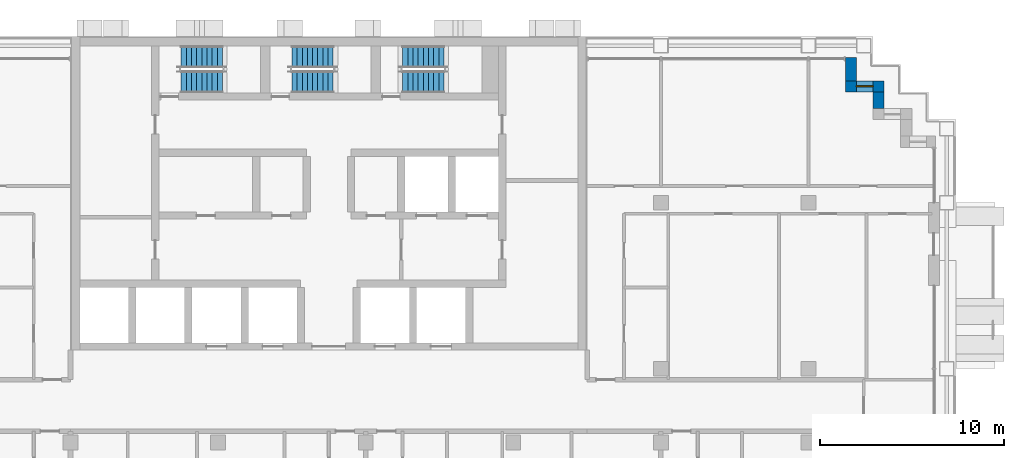
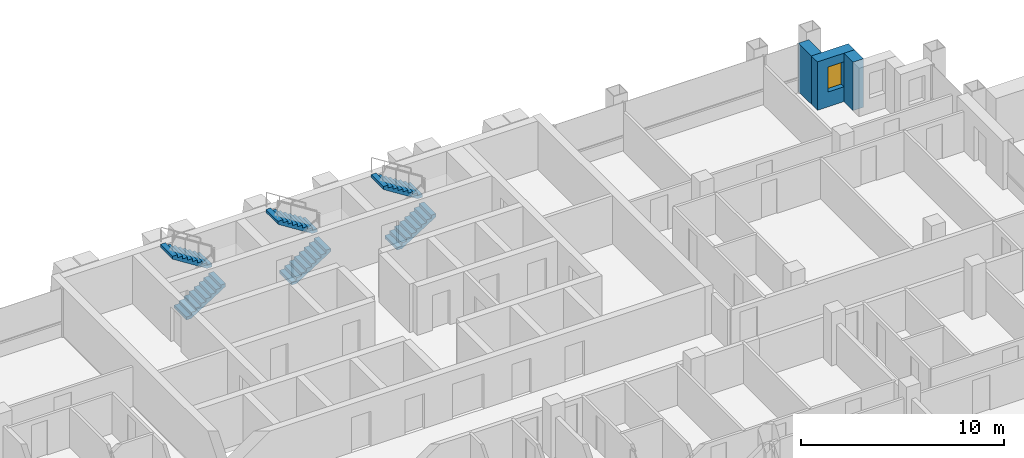
# One storey, part 13 of 18: 6 stair flights, 3 walls, 1 window, 1 opening, 3 elements without a shape of their own.
"""IFC4 building model written with IfcOpenShell, lengths in metres."""

from ifc_helpers import new_model, si_unit, direction, frame, frame_2d, origin, place, context, subcontext, project, spatial, polyline, rectangle, outline, extrude, material, layer, layer_set, type_object, element, fill, aggregate, save


model = new_model("IFC4")

# Units and contexts
model_context = context("Model", 3, precision=1e-05, world=origin(), true_north=direction((0.0, 1.0)))
body_context = subcontext(model_context, "Body", "Model", "MODEL_VIEW")
ifc_project = project(units=[si_unit("LENGTHUNIT", "METRE"), si_unit("AREAUNIT", "SQUARE_METRE"), si_unit("VOLUMEUNIT", "CUBIC_METRE"), si_unit("PLANEANGLEUNIT", "RADIAN"), si_unit("MASSUNIT", "GRAM", prefix="KILO")], contexts=[model_context])

# Site, building, storey
site_placement = place(None, origin())
site = spatial("IfcSite", under=ifc_project, at=site_placement, CompositionType="ELEMENT")
building_placement = place(site_placement, origin())
building = spatial("IfcBuilding", under=site, at=building_placement, Name="Vidyagriha Tower", CompositionType="ELEMENT")
storey_placement = place(building_placement, frame((0.0, 0.0, 123.0)))
storey = spatial("IfcBuildingStorey", under=building, at=storey_placement, Name="L31", CompositionType="ELEMENT", Elevation=123.0)

# Wall
ifc_material_1 = material(Name="Precast concrete C40/50 with brick facing", Category="concrete")
ifc_layer = layer(ifc_material_1, 0.60009765625)
ifc_layer_set = layer_set([ifc_layer], Name="Precast concrete C40/50 with brick facing")
wall_type = type_object("IfcWallType", Name="Brick-faced precast wall 600", PredefinedType="STANDARD", material=ifc_layer_set)
wall_1_placement = place(storey_placement, frame((29.800048828125, 16.10009765625, 0.0), z_axis=(0.0, 0.0, 1.0), x_axis=(0.0, 1.0, 0.0)))
element("IfcWall", 1, at=wall_1_placement, inside=storey, type_object=wall_type, Name="Stepped corner wall L31 R04", PredefinedType="STANDARD", context=body_context, shape_type="SweptSolid", body=[
    extrude(rectangle(XDim=0.89990234375, YDim=0.60009765625, at=frame_2d((0.449951171875, 0.0))), origin(), (0.0, 0.0, 1.0), 2.919921875),
])

# Wall, opening, window
wall_2_placement = place(storey_placement, frame((30.10009765625, 17.300048828125, 0.0), z_axis=(0.0, 0.0, 1.0), x_axis=(-1.0, 0.0, 0.0)))
wall_2 = element("IfcWall", 2, at=wall_2_placement, inside=storey, type_object=wall_type, Name="Stepped corner wall L31 R05", PredefinedType="STANDARD", context=body_context, shape_type="SweptSolid", body=[
    extrude(rectangle(XDim=2.10009765625, YDim=0.60009765625, at=frame_2d((1.050048828125, 0.0))), origin(), (0.0, 0.0, 1.0), 2.919921875),
])
opening_placement = place(wall_2_placement, frame((0.60009765625, 0.0, 0.89990234375)))
opening = element("IfcOpeningElement", 3, at=opening_placement, cuts=wall_2, Name="Opening WN1", PredefinedType="OPENING", context=body_context, shape_type="SweptSolid", body=[
    extrude(rectangle(XDim=0.89990234375, YDim=1.5, at=frame_2d((0.449951171875, 0.75))), frame((0.0, 0.31005859375, 0.0), z_axis=(0.0, -1.0, 0.0), x_axis=(1.0, 0.0, 0.0)), (0.0, 0.0, 1.0), 0.6201171875),
])
ifc_material_2 = material(Name="Aluminium and glass window", Category="aluminium")
window_type = type_object("IfcWindowType", Name="Reveal window 900x1500", PartitioningType="NOTDEFINED", PredefinedType="WINDOW", material=ifc_material_2)
window_placement = place(opening_placement, origin())
window = element("IfcWindow", 4, at=window_placement, inside=storey, type_object=window_type, Name="Reveal window L31 R05", OverallHeight=1.5, OverallWidth=0.89990234375, PartitioningType="SINGLE_PANEL", PredefinedType="WINDOW", context=body_context, shape_type="SweptSolid", body=[
    extrude(rectangle(XDim=0.89990234375, YDim=1.5, at=frame_2d((0.449951171875, 0.75))), frame((0.0, 0.030029296875, 0.0), z_axis=(0.0, -1.0, 0.0), x_axis=(1.0, 0.0, 0.0)), (0.0, 0.0, 1.0), 0.06005859375),
])
fill(opening, window)

# Wall
wall_3_placement = place(storey_placement, frame((28.300048828125, 17.60009765625, 0.0), z_axis=(0.0, 0.0, 1.0), x_axis=(0.0, 1.0, 0.0)))
element("IfcWall", 5, at=wall_3_placement, inside=storey, type_object=wall_type, Name="Stepped corner wall L31 R06", PredefinedType="STANDARD", context=body_context, shape_type="SweptSolid", body=[
    extrude(rectangle(XDim=1.27978515625, YDim=0.60009765625, at=frame_2d((0.639892578125, 0.0))), origin(), (0.0, 0.0, 1.0), 2.919921875),
])

# Stair, stair flights
ifc_material_3 = material(Name="Concrete C40/50", Category="concrete")
stair_type = type_object("IfcStairType", Name="Exit stair, half-turn, precast flights", PredefinedType="HALF_TURN_STAIR", material=ifc_material_3)
stair_1_placement = place(storey_placement, origin())
stair_1 = element("IfcStair", 6, at=stair_1_placement, inside=storey, type_object=stair_type, Name="L31 Exit Stair ST1", PredefinedType="HALF_TURN_STAIR")
ifc_material_4 = material(Name="Precast concrete C40/50", Category="concrete")
stair_flight_type = type_object("IfcStairFlightType", Name="Exit stair flight 1200 mm, precast", PredefinedType="STRAIGHT", material=ifc_material_4)
stair_flight_1_placement = place(storey_placement, frame((-8.0, 17.550048828125, 0.0)))
stair_flight_1 = element("IfcStairFlight", 7, at=stair_flight_1_placement, type_object=stair_flight_type, Name="ST1 flight 1", NumberOfRisers=9, NumberOfTreads=8, PredefinedType="STRAIGHT", RiserHeight=0.177777778, TreadLength=0.28, context=body_context, shape_type="SweptSolid", body=[
    extrude(outline(polyline([(0.0, 0.0), (0.0, 0.177734375), (0.280029296875, 0.177734375), (0.280029296875, 0.35546875), (0.56005859375, 0.35546875), (0.56005859375, 0.533447265625), (0.840087890625, 0.533447265625), (0.840087890625, 0.711181640625), (1.1201171875, 0.711181640625), (1.1201171875, 0.888916015625), (1.39990234375, 0.888916015625), (1.39990234375, 1.066650390625), (1.679931640625, 1.066650390625), (1.679931640625, 1.244384765625), (1.9599609375, 1.244384765625), (1.9599609375, 1.422119140625), (2.239990234375, 1.422119140625), (2.239990234375, 1.60009765625), (2.239990234375, 1.24462890625), (0.27978515625, 0.0), (0.0, 0.0)])), frame((0.0, 0.60009765625, 0.0), z_axis=(0.0, -1.0, 0.0), x_axis=(1.0, 0.0, 0.0)), (0.0, 0.0, 1.0), 1.199951171875),
])
stair_flight_2_placement = place(storey_placement, frame((-5.760009765625, 18.89990234375, 1.60009765625), z_axis=(0.0, 0.0, 1.0), x_axis=(-1.0, 0.0, 0.0)))
stair_flight_2 = element("IfcStairFlight", 8, at=stair_flight_2_placement, type_object=stair_flight_type, Name="ST1 flight 2", NumberOfRisers=9, NumberOfTreads=8, PredefinedType="STRAIGHT", RiserHeight=0.177777778, TreadLength=0.28, context=body_context, shape_type="SweptSolid", body=[
    extrude(outline(polyline([(0.0, 0.0), (0.0, 0.177734375), (0.280029296875, 0.177734375), (0.280029296875, 0.35546875), (0.56005859375, 0.35546875), (0.56005859375, 0.533447265625), (0.840087890625, 0.533447265625), (0.840087890625, 0.711181640625), (1.1201171875, 0.711181640625), (1.1201171875, 0.888916015625), (1.39990234375, 0.888916015625), (1.39990234375, 1.066650390625), (1.679931640625, 1.066650390625), (1.679931640625, 1.244384765625), (1.9599609375, 1.244384765625), (1.9599609375, 1.422119140625), (2.239990234375, 1.422119140625), (2.239990234375, 1.60009765625), (2.239990234375, 1.24462890625), (0.27978515625, 0.0), (0.0, 0.0)])), frame((0.0, 0.60009765625, 0.0), z_axis=(0.0, -1.0, 0.0), x_axis=(1.0, 0.0, 0.0)), (0.0, 0.0, 1.0), 1.199951171875),
])
aggregate(stair_1, [stair_flight_1, stair_flight_2])

stair_2_placement = place(storey_placement, origin())
stair_2 = element("IfcStair", 9, at=stair_2_placement, inside=storey, type_object=stair_type, Name="L31 Exit Stair ST2", PredefinedType="HALF_TURN_STAIR")
stair_flight_3_placement = place(storey_placement, frame((-2.0, 17.550048828125, 0.0)))
stair_flight_3 = element("IfcStairFlight", 10, at=stair_flight_3_placement, type_object=stair_flight_type, Name="ST2 flight 1", NumberOfRisers=9, NumberOfTreads=8, PredefinedType="STRAIGHT", RiserHeight=0.177777778, TreadLength=0.28, context=body_context, shape_type="SweptSolid", body=[
    extrude(outline(polyline([(0.0, 0.0), (0.0, 0.177734375), (0.280029296875, 0.177734375), (0.280029296875, 0.35546875), (0.56005859375, 0.35546875), (0.56005859375, 0.533447265625), (0.840087890625, 0.533447265625), (0.840087890625, 0.711181640625), (1.1201171875, 0.711181640625), (1.1201171875, 0.888916015625), (1.39990234375, 0.888916015625), (1.39990234375, 1.066650390625), (1.679931640625, 1.066650390625), (1.679931640625, 1.244384765625), (1.9599609375, 1.244384765625), (1.9599609375, 1.422119140625), (2.239990234375, 1.422119140625), (2.239990234375, 1.60009765625), (2.239990234375, 1.24462890625), (0.27978515625, 0.0), (0.0, 0.0)])), frame((0.0, 0.60009765625, 0.0), z_axis=(0.0, -1.0, 0.0), x_axis=(1.0, 0.0, 0.0)), (0.0, 0.0, 1.0), 1.199951171875),
])
stair_flight_4_placement = place(storey_placement, frame((0.239990234375, 18.89990234375, 1.60009765625), z_axis=(0.0, 0.0, 1.0), x_axis=(-1.0, 0.0, 0.0)))
stair_flight_4 = element("IfcStairFlight", 11, at=stair_flight_4_placement, type_object=stair_flight_type, Name="ST2 flight 2", NumberOfRisers=9, NumberOfTreads=8, PredefinedType="STRAIGHT", RiserHeight=0.177777778, TreadLength=0.28, context=body_context, shape_type="SweptSolid", body=[
    extrude(outline(polyline([(0.0, 0.0), (0.0, 0.177734375), (0.280029296875, 0.177734375), (0.280029296875, 0.35546875), (0.56005859375, 0.35546875), (0.56005859375, 0.533447265625), (0.840087890625, 0.533447265625), (0.840087890625, 0.711181640625), (1.1201171875, 0.711181640625), (1.1201171875, 0.888916015625), (1.39990234375, 0.888916015625), (1.39990234375, 1.066650390625), (1.679931640625, 1.066650390625), (1.679931640625, 1.244384765625), (1.9599609375, 1.244384765625), (1.9599609375, 1.422119140625), (2.239990234375, 1.422119140625), (2.239990234375, 1.60009765625), (2.239990234375, 1.24462890625), (0.27978515625, 0.0), (0.0, 0.0)])), frame((0.0, 0.60009765625, 0.0), z_axis=(0.0, -1.0, 0.0), x_axis=(1.0, 0.0, 0.0)), (0.0, 0.0, 1.0), 1.199951171875),
])
aggregate(stair_2, [stair_flight_3, stair_flight_4])

stair_3_placement = place(storey_placement, origin())
stair_3 = element("IfcStair", 12, at=stair_3_placement, inside=storey, type_object=stair_type, Name="L31 Exit Stair ST3", PredefinedType="HALF_TURN_STAIR")
stair_flight_5_placement = place(storey_placement, frame((4.0, 17.550048828125, 0.0)))
stair_flight_5 = element("IfcStairFlight", 13, at=stair_flight_5_placement, type_object=stair_flight_type, Name="ST3 flight 1", NumberOfRisers=9, NumberOfTreads=8, PredefinedType="STRAIGHT", RiserHeight=0.177777778, TreadLength=0.28, context=body_context, shape_type="SweptSolid", body=[
    extrude(outline(polyline([(0.0, 0.0), (0.0, 0.177734375), (0.280029296875, 0.177734375), (0.280029296875, 0.35546875), (0.56005859375, 0.35546875), (0.56005859375, 0.533447265625), (0.840087890625, 0.533447265625), (0.840087890625, 0.711181640625), (1.1201171875, 0.711181640625), (1.1201171875, 0.888916015625), (1.39990234375, 0.888916015625), (1.39990234375, 1.066650390625), (1.679931640625, 1.066650390625), (1.679931640625, 1.244384765625), (1.9599609375, 1.244384765625), (1.9599609375, 1.422119140625), (2.239990234375, 1.422119140625), (2.239990234375, 1.60009765625), (2.239990234375, 1.24462890625), (0.27978515625, 0.0), (0.0, 0.0)])), frame((0.0, 0.60009765625, 0.0), z_axis=(0.0, -1.0, 0.0), x_axis=(1.0, 0.0, 0.0)), (0.0, 0.0, 1.0), 1.199951171875),
])
stair_flight_6_placement = place(storey_placement, frame((6.239990234375, 18.89990234375, 1.60009765625), z_axis=(0.0, 0.0, 1.0), x_axis=(-1.0, 0.0, 0.0)))
stair_flight_6 = element("IfcStairFlight", 14, at=stair_flight_6_placement, type_object=stair_flight_type, Name="ST3 flight 2", NumberOfRisers=9, NumberOfTreads=8, PredefinedType="STRAIGHT", RiserHeight=0.177777778, TreadLength=0.28, context=body_context, shape_type="SweptSolid", body=[
    extrude(outline(polyline([(0.0, 0.0), (0.0, 0.177734375), (0.280029296875, 0.177734375), (0.280029296875, 0.35546875), (0.56005859375, 0.35546875), (0.56005859375, 0.533447265625), (0.840087890625, 0.533447265625), (0.840087890625, 0.711181640625), (1.1201171875, 0.711181640625), (1.1201171875, 0.888916015625), (1.39990234375, 0.888916015625), (1.39990234375, 1.066650390625), (1.679931640625, 1.066650390625), (1.679931640625, 1.244384765625), (1.9599609375, 1.244384765625), (1.9599609375, 1.422119140625), (2.239990234375, 1.422119140625), (2.239990234375, 1.60009765625), (2.239990234375, 1.24462890625), (0.27978515625, 0.0), (0.0, 0.0)])), frame((0.0, 0.60009765625, 0.0), z_axis=(0.0, -1.0, 0.0), x_axis=(1.0, 0.0, 0.0)), (0.0, 0.0, 1.0), 1.199951171875),
])
aggregate(stair_3, [stair_flight_5, stair_flight_6])

save(model, "model.ifc")
